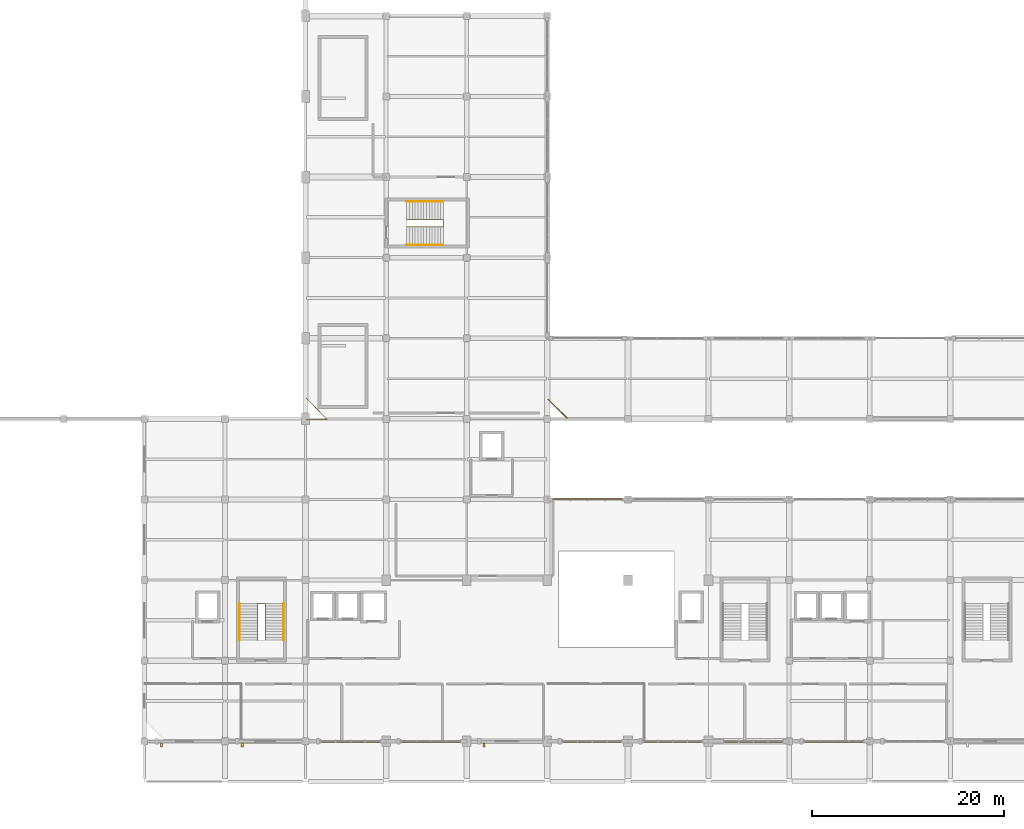
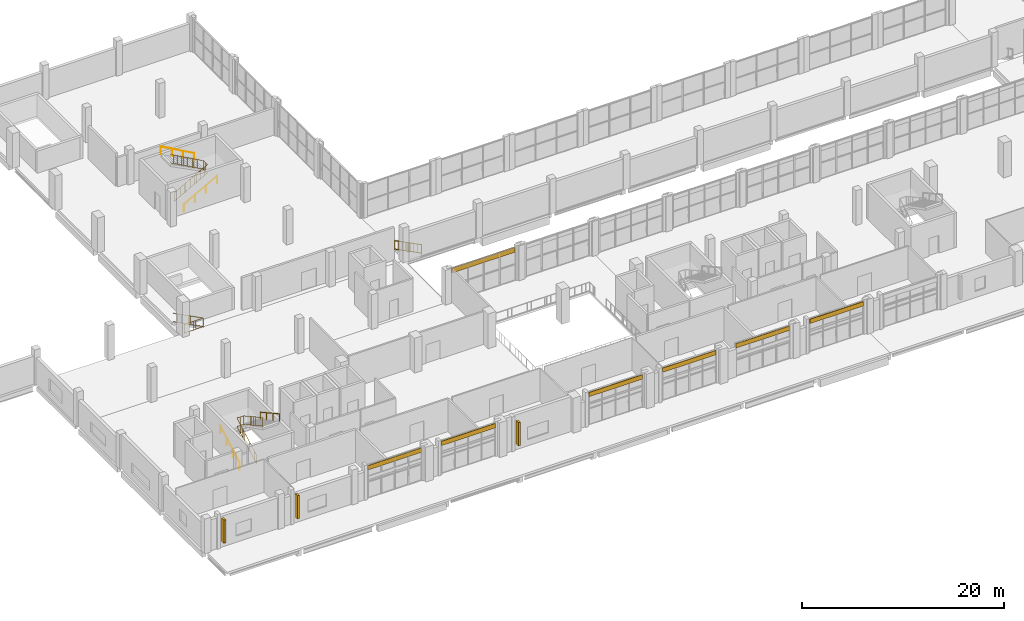
# One storey, part 56 of 59: 8 railings, 6 coverings, 4 shading devices.
"""IFC4 building model written with IfcOpenShell, lengths in metres."""

from ifc_helpers import new_model, si_unit, derived_unit, direction, frame, origin, origin_2d, place, context, subcontext, project, spatial, rectangle, circle, extrude, material, layer, layer_set, type_object, element, save


model = new_model("IFC4")

# Units and contexts
model_context = context("Model", 3, precision=1e-05, world=origin(), true_north=direction((0.0, 1.0)))
body_context = subcontext(model_context, "Body", "Model", "MODEL_VIEW")
ifc_project = project(units=[si_unit("LENGTHUNIT", "METRE"), si_unit("AREAUNIT", "SQUARE_METRE"), si_unit("VOLUMEUNIT", "CUBIC_METRE"), si_unit("PLANEANGLEUNIT", "RADIAN"), si_unit("MASSUNIT", "GRAM", prefix="KILO"), derived_unit("THERMALTRANSMITTANCEUNIT", [(si_unit("POWERUNIT", "WATT"), 1), (si_unit("LENGTHUNIT", "METRE"), -2), (si_unit("THERMODYNAMICTEMPERATUREUNIT", "KELVIN"), -1)])], contexts=[model_context])

# Site, building, storey
site_placement = place(None, origin())
site = spatial("IfcSite", under=ifc_project, at=site_placement, CompositionType="ELEMENT")
building_placement = place(site_placement, origin())
building = spatial("IfcBuilding", under=site, at=building_placement, Name="Barrovel Congress Hotel", CompositionType="ELEMENT")
storey_placement = place(building_placement, frame((0.0, 0.0, 9.89990234375)))
storey = spatial("IfcBuildingStorey", under=building, at=storey_placement, Name="L02", CompositionType="ELEMENT", Elevation=9.89990234375)

# Coverings
ifc_material_1 = material(Name="Glazed Terracotta Spandrel", Category="masonry")
ifc_layer_1 = layer(ifc_material_1, 0.1201171875)
ifc_layer_set_1 = layer_set([ifc_layer_1], Name="Glazed Terracotta Spandrel")
covering_type = type_object("IfcCoveringType", Name="COV-CLAD-TERRA", PredefinedType="CLADDING", material=ifc_layer_set_1)
for number, where, z_axis, x_axis, name in (
    (1, (38.280029296875, 4.14990234375, 3.41015625), (0.0, 0.0, 1.0), (1.0, 0.0, 0.0), "CLAD:L02:S:04"),
    (2, (46.679931640625, 4.14990234375, 3.41015625), (0.0, 0.0, 1.0), (1.0, 0.0, 0.0), "CLAD:L02:S:05"),
    (3, (63.47998046875, 4.14990234375, 3.41015625), (0.0, 0.0, 1.0), (1.0, 0.0, 0.0), "CLAD:L02:S:07"),
    (4, (71.8798828125, 4.14990234375, 3.41015625), (0.0, 0.0, 1.0), (1.0, 0.0, 0.0), "CLAD:L02:S:08"),
    (5, (80.280029296875, 4.14990234375, 3.41015625), (0.0, 0.0, 1.0), (1.0, 0.0, 0.0), "CLAD:L02:S:09"),
    (6, (88.679931640625, 4.14990234375, 3.41015625), (0.0, 0.0, 1.0), (1.0, 0.0, 0.0), "CLAD:L02:S:10"),
):
    element("IfcCovering", number, at=place(storey_placement, frame(where, z_axis=z_axis, x_axis=x_axis)), inside=storey, type_object=covering_type, Name=name, PredefinedType="CLADDING", context=body_context, shape_type="SweptSolid", body=[
        extrude(rectangle(XDim=6.1201171875, YDim=0.1201171875, at=origin_2d()), origin(), (0.0, 0.0, 1.0), 0.52001953125),
    ])

# Railings
ifc_material_2 = material(Name="Painted Architectural Steel", Category="steel")
ifc_layer_2 = layer(ifc_material_2, 0.070068359375)
ifc_layer_set_2 = layer_set([ifc_layer_2], Name="Painted Architectural Steel")
railing_type_1 = type_object("IfcRailingType", Name="RAIL-GUARD-INT", PredefinedType="BALUSTRADE", material=ifc_layer_set_2)
railing_1_placement = place(storey_placement, frame((28.6201171875, 14.739990234375, 0.0)))
element("IfcRailing", 7, at=railing_1_placement, inside=storey, type_object=railing_type_1, Name="STAIR:XS-01:L02:GR-W", PredefinedType="BALUSTRADE", context=body_context, shape_type="SweptSolid", body=[
    extrude(circle(Radius=0.02392578125, at=origin_2d()), frame((0.0, 0.0, 1.11572265625), z_axis=(0.0, 0.875497377122, 0.483222870581), x_axis=(-1.0, 0.0, 0.0)), (0.0, 0.0, 1.0), 4.345947265625),
    extrude(circle(Radius=0.02392578125, at=origin_2d()), frame((0.0, 0.0, 0.10009765625), z_axis=(0.0, 0.875497377122, 0.483222870581), x_axis=(-1.0, 0.0, 0.0)), (0.0, 0.0, 1.0), 4.345947265625),
    extrude(circle(Radius=0.010009765625, at=origin_2d()), frame((0.0, 0.38037109375, 0.31005859375)), (0.0, 0.0, 1.0), 0.99169921875),
    extrude(circle(Radius=0.010009765625, at=origin_2d()), frame((0.0, 0.760986328125, 0.52001953125)), (0.0, 0.0, 1.0), 0.99169921875),
    extrude(circle(Radius=0.010009765625, at=origin_2d()), frame((0.0, 1.1416015625, 0.72998046875)), (0.0, 0.0, 1.0), 0.99169921875),
    extrude(circle(Radius=0.010009765625, at=origin_2d()), frame((0.0, 1.52197265625, 0.93994140625)), (0.0, 0.0, 1.0), 0.99169921875),
    extrude(circle(Radius=0.010009765625, at=origin_2d()), frame((0.0, 1.90234375, 1.150146484375)), (0.0, 0.0, 1.0), 0.99169921875),
    extrude(circle(Radius=0.010009765625, at=origin_2d()), frame((0.0, 2.282958984375, 1.360107421875)), (0.0, 0.0, 1.0), 0.99169921875),
    extrude(circle(Radius=0.010009765625, at=origin_2d()), frame((0.0, 2.66357421875, 1.570068359375)), (0.0, 0.0, 1.0), 0.99169921875),
    extrude(circle(Radius=0.010009765625, at=origin_2d()), frame((0.0, 3.0439453125, 1.780029296875)), (0.0, 0.0, 1.0), 0.99169921875),
    extrude(circle(Radius=0.010009765625, at=origin_2d()), frame((0.0, 3.42431640625, 1.989990234375)), (0.0, 0.0, 1.0), 0.99169921875),
    extrude(circle(Radius=0.02392578125, at=origin_2d()), frame((0.0, 3.804931640625, 3.2158203125), z_axis=(1.0, 0.0, 0.0), x_axis=(0.0, 1.0, 0.0)), (0.0, 0.0, 1.0), 0.759765625),
    extrude(circle(Radius=0.02392578125, at=origin_2d()), frame((0.0, 3.804931640625, 2.2001953125), z_axis=(1.0, 0.0, 0.0), x_axis=(0.0, 1.0, 0.0)), (0.0, 0.0, 1.0), 0.759765625),
    extrude(circle(Radius=0.010009765625, at=origin_2d()), frame((0.3798828125, 3.804931640625, 2.2001953125)), (0.0, 0.0, 1.0), 0.99169921875),
    extrude(circle(Radius=0.02392578125, at=origin_2d()), frame((0.759765625, 3.804931640625, 3.2158203125), z_axis=(0.0, -0.875497377122, 0.483222870581), x_axis=(1.0, 0.0, 0.0)), (0.0, 0.0, 1.0), 4.345947265625),
    extrude(circle(Radius=0.02392578125, at=origin_2d()), frame((0.759765625, 3.804931640625, 2.2001953125), z_axis=(0.0, -0.875497377122, 0.483222870581), x_axis=(1.0, 0.0, 0.0)), (0.0, 0.0, 1.0), 4.345947265625),
    extrude(circle(Radius=0.010009765625, at=origin_2d()), frame((0.759765625, 3.42431640625, 2.41015625)), (0.0, 0.0, 1.0), 0.99169921875),
    extrude(circle(Radius=0.010009765625, at=origin_2d()), frame((0.759765625, 3.0439453125, 2.6201171875)), (0.0, 0.0, 1.0), 0.99169921875),
    extrude(circle(Radius=0.010009765625, at=origin_2d()), frame((0.759765625, 2.66357421875, 2.830078125)), (0.0, 0.0, 1.0), 0.99169921875),
    extrude(circle(Radius=0.010009765625, at=origin_2d()), frame((0.759765625, 2.282958984375, 3.0400390625)), (0.0, 0.0, 1.0), 0.99169921875),
    extrude(circle(Radius=0.010009765625, at=origin_2d()), frame((0.759765625, 1.90234375, 3.250244140625)), (0.0, 0.0, 1.0), 0.99169921875),
    extrude(circle(Radius=0.010009765625, at=origin_2d()), frame((0.759765625, 1.52197265625, 3.460205078125)), (0.0, 0.0, 1.0), 0.99169921875),
    extrude(circle(Radius=0.010009765625, at=origin_2d()), frame((0.759765625, 1.1416015625, 3.670166015625)), (0.0, 0.0, 1.0), 0.99169921875),
    extrude(circle(Radius=0.010009765625, at=origin_2d()), frame((0.759765625, 0.760986328125, 3.880126953125)), (0.0, 0.0, 1.0), 0.99169921875),
    extrude(circle(Radius=0.010009765625, at=origin_2d()), frame((0.759765625, 0.38037109375, 4.090087890625)), (0.0, 0.0, 1.0), 0.99169921875),
    extrude(circle(Radius=0.02099609375, at=origin_2d()), origin(), (0.0, 0.0, 1.0), 1.091796875),
    extrude(circle(Radius=0.02099609375, at=origin_2d()), frame((0.0, 1.268310546875, 0.699951171875)), (0.0, 0.0, 1.0), 1.091796875),
    extrude(circle(Radius=0.02099609375, at=origin_2d()), frame((0.0, 2.53662109375, 1.400146484375)), (0.0, 0.0, 1.0), 1.091796875),
    extrude(circle(Radius=0.02099609375, at=origin_2d()), frame((0.0, 3.804931640625, 2.10009765625)), (0.0, 0.0, 1.0), 1.091796875),
    extrude(circle(Radius=0.02099609375, at=origin_2d()), frame((0.759765625, 3.804931640625, 2.10009765625)), (0.0, 0.0, 1.0), 1.091796875),
    extrude(circle(Radius=0.02099609375, at=origin_2d()), frame((0.759765625, 2.53662109375, 2.800048828125)), (0.0, 0.0, 1.0), 1.091796875),
    extrude(circle(Radius=0.02099609375, at=origin_2d()), frame((0.759765625, 1.268310546875, 3.500244140625)), (0.0, 0.0, 1.0), 1.091796875),
    extrude(circle(Radius=0.02099609375, at=origin_2d()), frame((0.759765625, 0.0, 4.2001953125)), (0.0, 0.0, 1.0), 1.091796875),
])
railing_2_placement = place(storey_placement, frame((44.139892578125, 57.840087890625, 0.0)))
element("IfcRailing", 8, at=railing_2_placement, inside=storey, type_object=railing_type_1, Name="STAIR:XS-05:L02:GR-W", PredefinedType="BALUSTRADE", context=body_context, shape_type="SweptSolid", body=[
    extrude(circle(Radius=0.02392578125, at=origin_2d()), frame((0.0, 0.0, 1.11572265625), z_axis=(0.875510493411, 0.0, 0.483199105885), x_axis=(0.0, 1.0, 0.0)), (0.0, 0.0, 1.0), 4.34619140625),
    extrude(circle(Radius=0.02392578125, at=origin_2d()), frame((0.0, 0.0, 0.10009765625), z_axis=(0.875510493411, 0.0, 0.483199105885), x_axis=(0.0, 1.0, 0.0)), (0.0, 0.0, 1.0), 4.34619140625),
    extrude(circle(Radius=0.010009765625, at=origin_2d()), frame((0.380615234375, 0.0, 0.31005859375)), (0.0, 0.0, 1.0), 0.99169921875),
    extrude(circle(Radius=0.010009765625, at=origin_2d()), frame((0.760986328125, 0.0, 0.52001953125)), (0.0, 0.0, 1.0), 0.99169921875),
    extrude(circle(Radius=0.010009765625, at=origin_2d()), frame((1.1416015625, 0.0, 0.72998046875)), (0.0, 0.0, 1.0), 0.99169921875),
    extrude(circle(Radius=0.010009765625, at=origin_2d()), frame((1.52197265625, 0.0, 0.93994140625)), (0.0, 0.0, 1.0), 0.99169921875),
    extrude(circle(Radius=0.010009765625, at=origin_2d()), frame((1.902587890625, 0.0, 1.150146484375)), (0.0, 0.0, 1.0), 0.99169921875),
    extrude(circle(Radius=0.010009765625, at=origin_2d()), frame((2.283203125, 0.0, 1.360107421875)), (0.0, 0.0, 1.0), 0.99169921875),
    extrude(circle(Radius=0.010009765625, at=origin_2d()), frame((2.66357421875, 0.0, 1.570068359375)), (0.0, 0.0, 1.0), 0.99169921875),
    extrude(circle(Radius=0.010009765625, at=origin_2d()), frame((3.044189453125, 0.0, 1.780029296875)), (0.0, 0.0, 1.0), 0.99169921875),
    extrude(circle(Radius=0.010009765625, at=origin_2d()), frame((3.424560546875, 0.0, 1.989990234375)), (0.0, 0.0, 1.0), 0.99169921875),
    extrude(circle(Radius=0.02392578125, at=origin_2d()), frame((3.80517578125, 0.0, 3.2158203125), z_axis=(0.0, 1.0, 0.0), x_axis=(-1.0, 0.0, 0.0)), (0.0, 0.0, 1.0), 0.719970703125),
    extrude(circle(Radius=0.02392578125, at=origin_2d()), frame((3.80517578125, 0.0, 2.2001953125), z_axis=(0.0, 1.0, 0.0), x_axis=(-1.0, 0.0, 0.0)), (0.0, 0.0, 1.0), 0.719970703125),
    extrude(circle(Radius=0.010009765625, at=origin_2d()), frame((3.80517578125, 0.35986328125, 2.2001953125)), (0.0, 0.0, 1.0), 0.99169921875),
    extrude(circle(Radius=0.02392578125, at=origin_2d()), frame((3.80517578125, 0.719970703125, 3.2158203125), z_axis=(-0.875510493411, 0.0, 0.483199105885), x_axis=(0.0, -1.0, 0.0)), (0.0, 0.0, 1.0), 4.34619140625),
    extrude(circle(Radius=0.02392578125, at=origin_2d()), frame((3.80517578125, 0.719970703125, 2.2001953125), z_axis=(-0.875510493411, 0.0, 0.483199105885), x_axis=(0.0, -1.0, 0.0)), (0.0, 0.0, 1.0), 4.34619140625),
    extrude(circle(Radius=0.010009765625, at=origin_2d()), frame((3.424560546875, 0.719970703125, 2.41015625)), (0.0, 0.0, 1.0), 0.99169921875),
    extrude(circle(Radius=0.010009765625, at=origin_2d()), frame((3.044189453125, 0.719970703125, 2.6201171875)), (0.0, 0.0, 1.0), 0.99169921875),
    extrude(circle(Radius=0.010009765625, at=origin_2d()), frame((2.66357421875, 0.719970703125, 2.830078125)), (0.0, 0.0, 1.0), 0.99169921875),
    extrude(circle(Radius=0.010009765625, at=origin_2d()), frame((2.283203125, 0.719970703125, 3.0400390625)), (0.0, 0.0, 1.0), 0.99169921875),
    extrude(circle(Radius=0.010009765625, at=origin_2d()), frame((1.902587890625, 0.719970703125, 3.250244140625)), (0.0, 0.0, 1.0), 0.99169921875),
    extrude(circle(Radius=0.010009765625, at=origin_2d()), frame((1.52197265625, 0.719970703125, 3.460205078125)), (0.0, 0.0, 1.0), 0.99169921875),
    extrude(circle(Radius=0.010009765625, at=origin_2d()), frame((1.1416015625, 0.719970703125, 3.670166015625)), (0.0, 0.0, 1.0), 0.99169921875),
    extrude(circle(Radius=0.010009765625, at=origin_2d()), frame((0.760986328125, 0.719970703125, 3.880126953125)), (0.0, 0.0, 1.0), 0.99169921875),
    extrude(circle(Radius=0.010009765625, at=origin_2d()), frame((0.380615234375, 0.719970703125, 4.090087890625)), (0.0, 0.0, 1.0), 0.99169921875),
    extrude(circle(Radius=0.02099609375, at=origin_2d()), origin(), (0.0, 0.0, 1.0), 1.091796875),
    extrude(circle(Radius=0.02099609375, at=origin_2d()), frame((1.268310546875, 0.0, 0.699951171875)), (0.0, 0.0, 1.0), 1.091796875),
    extrude(circle(Radius=0.02099609375, at=origin_2d()), frame((2.536865234375, 0.0, 1.400146484375)), (0.0, 0.0, 1.0), 1.091796875),
    extrude(circle(Radius=0.02099609375, at=origin_2d()), frame((3.80517578125, 0.0, 2.10009765625)), (0.0, 0.0, 1.0), 1.091796875),
    extrude(circle(Radius=0.02099609375, at=origin_2d()), frame((3.80517578125, 0.719970703125, 2.10009765625)), (0.0, 0.0, 1.0), 1.091796875),
    extrude(circle(Radius=0.02099609375, at=origin_2d()), frame((2.536865234375, 0.719970703125, 2.800048828125)), (0.0, 0.0, 1.0), 1.091796875),
    extrude(circle(Radius=0.02099609375, at=origin_2d()), frame((1.268310546875, 0.719970703125, 3.500244140625)), (0.0, 0.0, 1.0), 1.091796875),
    extrude(circle(Radius=0.02099609375, at=origin_2d()), frame((0.0, 0.719970703125, 4.2001953125)), (0.0, 0.0, 1.0), 1.091796875),
])
railing_3_placement = place(storey_placement, frame((60.85009765625, 37.8798828125, 0.0)))
element("IfcRailing", 9, at=railing_3_placement, inside=storey, type_object=railing_type_1, Name="RAIL:L02:CG-CLO", PredefinedType="BALUSTRADE", context=body_context, shape_type="SweptSolid", body=[
    extrude(circle(Radius=0.02392578125, at=origin_2d()), frame((0.0, 0.0, 1.11572265625), z_axis=(-0.707106781187, 0.707106781187, 0.0), x_axis=(-0.707106781187, -0.707106781187, 0.0)), (0.0, 0.0, 1.0), 2.786376953125),
    extrude(circle(Radius=0.02392578125, at=origin_2d()), frame((0.0, 0.0, 0.10009765625), z_axis=(-0.707106781187, 0.707106781187, 0.0), x_axis=(-0.707106781187, -0.707106781187, 0.0)), (0.0, 0.0, 1.0), 2.786376953125),
    extrude(circle(Radius=0.010009765625, at=origin_2d()), frame((-0.281494140625, 0.281494140625, 0.10009765625)), (0.0, 0.0, 1.0), 0.99169921875),
    extrude(circle(Radius=0.010009765625, at=origin_2d()), frame((-0.56298828125, 0.56298828125, 0.10009765625)), (0.0, 0.0, 1.0), 0.99169921875),
    extrude(circle(Radius=0.010009765625, at=origin_2d()), frame((-0.844482421875, 0.844482421875, 0.10009765625)), (0.0, 0.0, 1.0), 0.99169921875),
    extrude(circle(Radius=0.010009765625, at=origin_2d()), frame((-1.125732421875, 1.125732421875, 0.10009765625)), (0.0, 0.0, 1.0), 0.99169921875),
    extrude(circle(Radius=0.010009765625, at=origin_2d()), frame((-1.4072265625, 1.4072265625, 0.10009765625)), (0.0, 0.0, 1.0), 0.99169921875),
    extrude(circle(Radius=0.010009765625, at=origin_2d()), frame((-1.688720703125, 1.688720703125, 0.10009765625)), (0.0, 0.0, 1.0), 0.99169921875),
    extrude(circle(Radius=0.02099609375, at=origin_2d()), origin(), (0.0, 0.0, 1.0), 1.091796875),
    extrude(circle(Radius=0.02099609375, at=origin_2d()), frame((-0.985107421875, 0.985107421875, 0.0)), (0.0, 0.0, 1.0), 1.091796875),
    extrude(circle(Radius=0.02099609375, at=origin_2d()), frame((-1.97021484375, 1.97021484375, 0.0)), (0.0, 0.0, 1.0), 1.091796875),
])
railing_4_placement = place(storey_placement, frame((33.679931640625, 37.719970703125, 0.0)))
element("IfcRailing", 10, at=railing_4_placement, inside=storey, type_object=railing_type_1, Name="RAIL:L02:CG-V44", PredefinedType="BALUSTRADE", context=body_context, shape_type="SweptSolid", body=[
    extrude(circle(Radius=0.02392578125, at=origin_2d()), frame((0.0, 0.0, 1.11572265625), z_axis=(1.0, 0.0, 0.0), x_axis=(0.0, 1.0, 0.0)), (0.0, 0.0, 1.0), 2.170166015625),
    extrude(circle(Radius=0.02392578125, at=origin_2d()), frame((0.0, 0.0, 0.10009765625), z_axis=(1.0, 0.0, 0.0), x_axis=(0.0, 1.0, 0.0)), (0.0, 0.0, 1.0), 2.170166015625),
    extrude(circle(Radius=0.010009765625, at=origin_2d()), frame((0.43408203125, 0.0, 0.10009765625)), (0.0, 0.0, 1.0), 0.99169921875),
    extrude(circle(Radius=0.010009765625, at=origin_2d()), frame((0.8681640625, 0.0, 0.10009765625)), (0.0, 0.0, 1.0), 0.99169921875),
    extrude(circle(Radius=0.010009765625, at=origin_2d()), frame((1.302001953125, 0.0, 0.10009765625)), (0.0, 0.0, 1.0), 0.99169921875),
    extrude(circle(Radius=0.010009765625, at=origin_2d()), frame((1.736083984375, 0.0, 0.10009765625)), (0.0, 0.0, 1.0), 0.99169921875),
    extrude(circle(Radius=0.02392578125, at=origin_2d()), frame((2.170166015625, 0.0, 1.11572265625), z_axis=(-0.697430118499, 0.716652795857, 0.0), x_axis=(-0.716652795857, -0.697430118499, 0.0)), (0.0, 0.0, 1.0), 3.111572265625),
    extrude(circle(Radius=0.02392578125, at=origin_2d()), frame((2.170166015625, 0.0, 0.10009765625), z_axis=(-0.697430118499, 0.716652795857, 0.0), x_axis=(-0.716652795857, -0.697430118499, 0.0)), (0.0, 0.0, 1.0), 3.111572265625),
    extrude(circle(Radius=0.010009765625, at=origin_2d()), frame((1.860107421875, 0.318603515625, 0.10009765625)), (0.0, 0.0, 1.0), 0.99169921875),
    extrude(circle(Radius=0.010009765625, at=origin_2d()), frame((1.550048828125, 0.63720703125, 0.10009765625)), (0.0, 0.0, 1.0), 0.99169921875),
    extrude(circle(Radius=0.010009765625, at=origin_2d()), frame((1.239990234375, 0.955810546875, 0.10009765625)), (0.0, 0.0, 1.0), 0.99169921875),
    extrude(circle(Radius=0.010009765625, at=origin_2d()), frame((0.93017578125, 1.274169921875, 0.10009765625)), (0.0, 0.0, 1.0), 0.99169921875),
    extrude(circle(Radius=0.010009765625, at=origin_2d()), frame((0.6201171875, 1.5927734375, 0.10009765625)), (0.0, 0.0, 1.0), 0.99169921875),
    extrude(circle(Radius=0.010009765625, at=origin_2d()), frame((0.31005859375, 1.911376953125, 0.10009765625)), (0.0, 0.0, 1.0), 0.99169921875),
    extrude(circle(Radius=0.02099609375, at=origin_2d()), origin(), (0.0, 0.0, 1.0), 1.091796875),
    extrude(circle(Radius=0.02099609375, at=origin_2d()), frame((1.0849609375, 0.0, 0.0)), (0.0, 0.0, 1.0), 1.091796875),
    extrude(circle(Radius=0.02099609375, at=origin_2d()), frame((2.170166015625, 0.0, 0.0)), (0.0, 0.0, 1.0), 1.091796875),
    extrude(circle(Radius=0.02099609375, at=origin_2d()), frame((1.0849609375, 1.114990234375, 0.0)), (0.0, 0.0, 1.0), 1.091796875),
    extrude(circle(Radius=0.02099609375, at=origin_2d()), frame((0.0, 2.22998046875, 0.0)), (0.0, 0.0, 1.0), 1.091796875),
])
ifc_material_3 = material(Name="Brushed Stainless Steel", Category="steel")
ifc_layer_3 = layer(ifc_material_3, 0.050048828125)
ifc_layer_set_3 = layer_set([ifc_layer_3], Name="Brushed Stainless Steel")
railing_type_2 = type_object("IfcRailingType", Name="RAIL-HAND", PredefinedType="HANDRAIL", material=ifc_layer_set_3)
railing_5_placement = place(storey_placement, frame((26.719970703125, 14.739990234375, 0.0)))
element("IfcRailing", 11, at=railing_5_placement, inside=storey, type_object=railing_type_2, Name="STAIR:XS-01:L02:HR-1", PredefinedType="HANDRAIL", context=body_context, shape_type="SweptSolid", body=[
    extrude(circle(Radius=0.02392578125, at=origin_2d()), frame((0.0, 0.0, 0.89599609375), z_axis=(0.0, 0.875497377122, 0.483222870581), x_axis=(-1.0, 0.0, 0.0)), (0.0, 0.0, 1.0), 4.345947265625),
    extrude(circle(Radius=0.02099609375, at=origin_2d()), origin(), (0.0, 0.0, 1.0), 0.871826171875),
    extrude(circle(Radius=0.02099609375, at=origin_2d()), frame((0.0, 1.268310546875, 0.699951171875)), (0.0, 0.0, 1.0), 0.871826171875),
    extrude(circle(Radius=0.02099609375, at=origin_2d()), frame((0.0, 2.53662109375, 1.400146484375)), (0.0, 0.0, 1.0), 0.871826171875),
    extrude(circle(Radius=0.02099609375, at=origin_2d()), frame((0.0, 3.804931640625, 2.10009765625)), (0.0, 0.0, 1.0), 0.871826171875),
])
railing_6_placement = place(storey_placement, frame((31.280029296875, 18.544921875, 2.10009765625)))
element("IfcRailing", 12, at=railing_6_placement, inside=storey, type_object=railing_type_2, Name="STAIR:XS-01:L02:HR-2", PredefinedType="HANDRAIL", context=body_context, shape_type="SweptSolid", body=[
    extrude(circle(Radius=0.02392578125, at=origin_2d()), frame((0.0, 0.0, 0.89599609375), z_axis=(0.0, -0.875497377122, 0.483222870581), x_axis=(1.0, 0.0, 0.0)), (0.0, 0.0, 1.0), 4.345947265625),
    extrude(circle(Radius=0.02099609375, at=origin_2d()), origin(), (0.0, 0.0, 1.0), 0.871826171875),
    extrude(circle(Radius=0.02099609375, at=origin_2d()), frame((0.0, -1.268310546875, 0.699951171875)), (0.0, 0.0, 1.0), 0.871826171875),
    extrude(circle(Radius=0.02099609375, at=origin_2d()), frame((0.0, -2.53662109375, 1.400146484375)), (0.0, 0.0, 1.0), 0.871826171875),
    extrude(circle(Radius=0.02099609375, at=origin_2d()), frame((0.0, -3.804931640625, 2.10009765625)), (0.0, 0.0, 1.0), 0.871826171875),
])
railing_7_placement = place(storey_placement, frame((44.139892578125, 55.919921875, 0.0)))
element("IfcRailing", 13, at=railing_7_placement, inside=storey, type_object=railing_type_2, Name="STAIR:XS-05:L02:HR-1", PredefinedType="HANDRAIL", context=body_context, shape_type="SweptSolid", body=[
    extrude(circle(Radius=0.02392578125, at=origin_2d()), frame((0.0, 0.0, 0.89599609375), z_axis=(0.875510493411, 0.0, 0.483199105885), x_axis=(0.0, 1.0, 0.0)), (0.0, 0.0, 1.0), 4.34619140625),
    extrude(circle(Radius=0.02099609375, at=origin_2d()), origin(), (0.0, 0.0, 1.0), 0.871826171875),
    extrude(circle(Radius=0.02099609375, at=origin_2d()), frame((1.268310546875, 0.0, 0.699951171875)), (0.0, 0.0, 1.0), 0.871826171875),
    extrude(circle(Radius=0.02099609375, at=origin_2d()), frame((2.536865234375, 0.0, 1.400146484375)), (0.0, 0.0, 1.0), 0.871826171875),
    extrude(circle(Radius=0.02099609375, at=origin_2d()), frame((3.80517578125, 0.0, 2.10009765625)), (0.0, 0.0, 1.0), 0.871826171875),
])
railing_8_placement = place(storey_placement, frame((47.945068359375, 60.47998046875, 2.10009765625)))
element("IfcRailing", 14, at=railing_8_placement, inside=storey, type_object=railing_type_2, Name="STAIR:XS-05:L02:HR-2", PredefinedType="HANDRAIL", context=body_context, shape_type="SweptSolid", body=[
    extrude(circle(Radius=0.02392578125, at=origin_2d()), frame((0.0, 0.0, 0.89599609375), z_axis=(-0.875510493411, 0.0, 0.483199105885), x_axis=(0.0, -1.0, 0.0)), (0.0, 0.0, 1.0), 4.34619140625),
    extrude(circle(Radius=0.02099609375, at=origin_2d()), origin(), (0.0, 0.0, 1.0), 0.871826171875),
    extrude(circle(Radius=0.02099609375, at=origin_2d()), frame((-1.268310546875, 0.0, 0.699951171875)), (0.0, 0.0, 1.0), 0.871826171875),
    extrude(circle(Radius=0.02099609375, at=origin_2d()), frame((-2.536865234375, 0.0, 1.400146484375)), (0.0, 0.0, 1.0), 0.871826171875),
    extrude(circle(Radius=0.02099609375, at=origin_2d()), frame((-3.80517578125, 0.0, 2.10009765625)), (0.0, 0.0, 1.0), 0.871826171875),
])

# Shading devices
ifc_material_4 = material(Name="Extruded Terracotta Louvres", Category="masonry")
shading_device_type_1 = type_object("IfcShadingDeviceType", Name="SHD-CELOSIA", PredefinedType="JALOUSIE", material=ifc_material_4)
shading_device_placement = place(storey_placement, frame((63.0, 29.4599609375, 3.365234375), z_axis=(0.0, 0.0, 1.0), x_axis=(1.0, 0.0, 0.0)))
element("IfcShadingDevice", 15, at=shading_device_placement, inside=storey, type_object=shading_device_type_1, Name="CEL:L02:CS:07", PredefinedType="JALOUSIE", context=body_context, shape_type="SweptSolid", body=[
    extrude(rectangle(XDim=7.199951171875, YDim=0.179931640625, at=origin_2d()), origin(), (0.0, 0.0, 1.0), 0.550048828125),
])
ifc_material_5 = material(Name="Fired Clay Brick Masonry", Category="masonry")
shading_device_type_2 = type_object("IfcShadingDeviceType", Name="SHD-FIN", PredefinedType="USERDEFINED", material=ifc_material_5)
for number, where, z_axis, x_axis, name in (
    (16, (18.60009765625, 3.820068359375, 0.7001953125), (0.0, 0.0, 1.0), (1.0, 0.0, 0.0), "FIN:L02:S:02"),
    (17, (27.0, 3.820068359375, 0.7001953125), (0.0, 0.0, 1.0), (1.0, 0.0, 0.0), "FIN:L02:S:03"),
    (18, (52.199951171875, 3.820068359375, 0.7001953125), (0.0, 0.0, 1.0), (1.0, 0.0, 0.0), "FIN:L02:S:06"),
):
    element("IfcShadingDevice", number, at=place(storey_placement, frame(where, z_axis=z_axis, x_axis=x_axis)), inside=storey, type_object=shading_device_type_2, Name=name, ObjectType="SOLAR FIN", PredefinedType="USERDEFINED", context=body_context, shape_type="SweptSolid", body=[
        extrude(rectangle(XDim=0.219970703125, YDim=0.449951171875, at=origin_2d()), origin(), (0.0, 0.0, 1.0), 2.800048828125),
    ])

save(model, "model.ifc")
